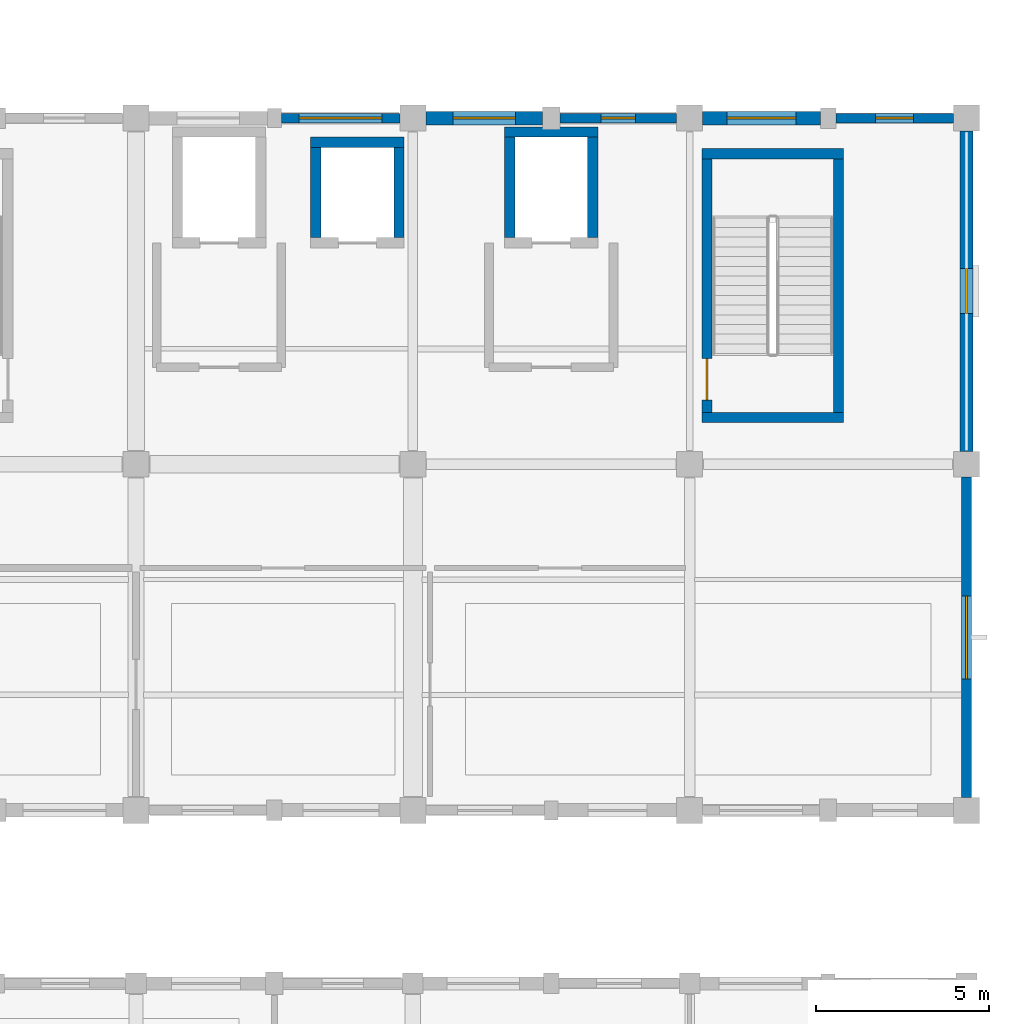
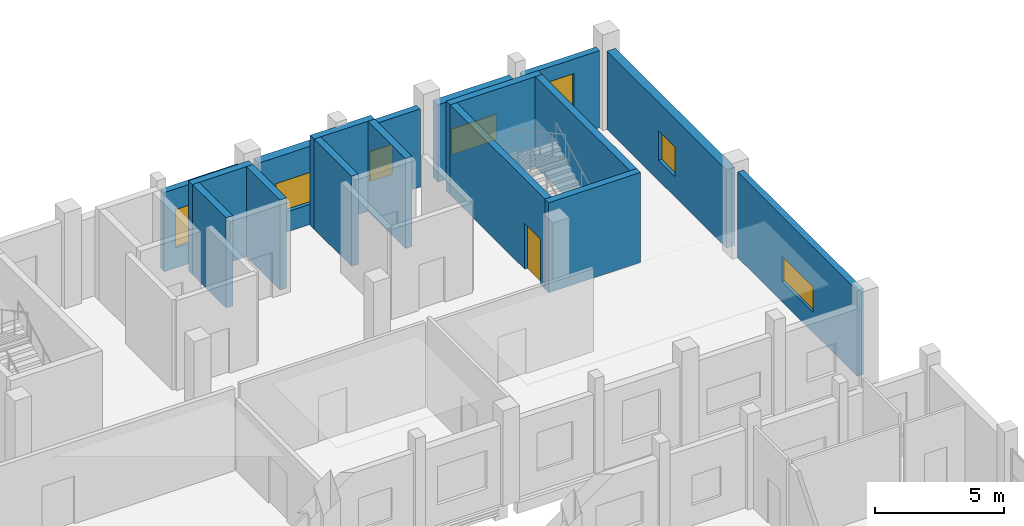
# One storey, part 153 of 183: 17 walls, 7 windows, 1 door, 8 openings.
"""IFC4 building model written with IfcOpenShell, lengths in metres."""

import ifcopenshell
import ifcopenshell.guid

model = None  # the IFC model being written
_history = None  # IfcOwnerHistory: only IFC2X3 demands one
_inside = {}  # id of a spatial element -> (the spatial element, [elements in it])
_under = {}  # id of a project, library or spatial element -> (it, [spatial elements below it])
_declared = {}  # id of a project -> (the project, [libraries it declares])
_typed = {}  # id of a type object -> (the type object, [elements of that type])
_made_of = {}  # id of a material, layer set ... -> (it, [elements and type objects made of it])


def new_model(schema):
    """Start an empty IFC model of exactly this schema.

    Asked for "IFC4X3", IfcOpenShell would pick the latest addendum, in which some entities
    have other attributes; the version numbers below select the first issue.
    IFC2X3 requires an IfcOwnerHistory on every rooted entity: one is made here for all.
    """
    global model, _history
    if schema == "IFC4X3":
        model = ifcopenshell.file(schema_version=(4, 3, 0, 0))
    else:
        model = ifcopenshell.file(schema=schema)
    _inside.clear()
    _under.clear()
    _declared.clear()
    _typed.clear()
    _made_of.clear()
    _history = None
    if model.schema == "IFC2X3":
        org = make("IfcOrganization", Name="unknown")
        user = make(
            "IfcPersonAndOrganization",
            ThePerson=make("IfcPerson", FamilyName="unknown"),
            TheOrganization=org,
        )
        app = make(
            "IfcApplication",
            ApplicationDeveloper=org,
            Version="unknown",
            ApplicationFullName="unknown",
            ApplicationIdentifier="unknown",
        )
        _history = make(
            "IfcOwnerHistory",
            OwningUser=user,
            OwningApplication=app,
            ChangeAction="ADDED",
            CreationDate=0,
        )
    return model


def make(cls, **values):
    """One entity of the class cls with the attributes given. An attribute that is None is left unset."""
    return model.create_entity(
        cls, **{name: value for name, value in values.items() if value is not None}
    )


def rooted(cls, **values):
    """An entity with a GlobalId (a new one), such as an element, a storey or a relation."""
    return make(cls, GlobalId=ifcopenshell.guid.new(), OwnerHistory=_history, **values)


def si_unit(unit_type, name, prefix=None):
    """IfcSIUnit, for example si_unit("LENGTHUNIT", "METRE", prefix="MILLI")."""
    return make("IfcSIUnit", UnitType=unit_type, Prefix=prefix, Name=name)


def assignment(units):
    """IfcUnitAssignment: the units of a project."""
    return None if units is None else make("IfcUnitAssignment", Units=units)


def point(xyz):
    """IfcCartesianPoint."""
    return None if xyz is None else make("IfcCartesianPoint", Coordinates=xyz)


def direction(xyz):
    """IfcDirection."""
    return None if xyz is None else make("IfcDirection", DirectionRatios=xyz)


def frame(location, z_axis=None, x_axis=None):
    """IfcAxis2Placement3D, a coordinate frame: its origin and axes. An axis left out is left unset."""
    return make(
        "IfcAxis2Placement3D",
        Location=point(location),
        Axis=direction(z_axis),
        RefDirection=direction(x_axis),
    )


def frame_2d(location, x_axis=None):
    """IfcAxis2Placement2D, a coordinate frame in the plane: its origin and x axis."""
    return make(
        "IfcAxis2Placement2D", Location=point(location), RefDirection=direction(x_axis)
    )


def origin():
    """The frame at (0, 0, 0) with its axes left unset."""
    return frame((0.0, 0.0, 0.0))


def place(relative_to, where):
    """IfcLocalPlacement: puts the frame where relative to a parent placement (None: the world)."""
    return make(
        "IfcLocalPlacement", PlacementRelTo=relative_to, RelativePlacement=where
    )


def context(
    kind, dimensions, precision=None, world=None, true_north=None, identifier=None
):
    """IfcGeometricRepresentationContext, for example the 3D "Model" context."""
    return make(
        "IfcGeometricRepresentationContext",
        ContextIdentifier=identifier,
        ContextType=kind,
        CoordinateSpaceDimension=dimensions,
        Precision=precision,
        WorldCoordinateSystem=world,
        TrueNorth=true_north,
    )


def subcontext(parent, identifier, kind, view, scale=None):
    """IfcGeometricRepresentationSubContext, for example "Body" below "Model"."""
    return make(
        "IfcGeometricRepresentationSubContext",
        ContextIdentifier=identifier,
        ContextType=kind,
        ParentContext=parent,
        TargetScale=scale,
        TargetView=view,
    )


def project(units=None, contexts=None):
    """IfcProject with its units and contexts."""
    return rooted(
        "IfcProject",
        Name="project",
        RepresentationContexts=contexts,
        UnitsInContext=assignment(units),
    )


def spatial(cls, under=None, at=None, **own):
    """A site, building, storey or space (cls), placed at a placement, below another one or the project."""
    s = rooted(cls, ObjectPlacement=at, **own)
    if under is not None:
        _under.setdefault(under.id(), (under, []))[1].append(s)
    return s


def profile(cls, at=None, kind="AREA", **sizes):
    """A parametric profile (cls). Its sizes go by their IFC names, for example OverallWidth=200.0."""
    return make(cls, ProfileType=kind, Position=at, **sizes)


def rectangle(**sizes):
    """IfcRectangleProfileDef."""
    return profile("IfcRectangleProfileDef", **sizes)


def extrude(swept, where, along, depth):
    """IfcExtrudedAreaSolid: the profile swept, set in the frame where, extruded along a direction by depth."""
    return make(
        "IfcExtrudedAreaSolid",
        SweptArea=swept,
        Position=where,
        ExtrudedDirection=direction(along),
        Depth=depth,
    )


def shape(context_of_items, identifier, shape_type, items):
    """IfcShapeRepresentation: the items that make up one representation, for example the "Body"."""
    return make(
        "IfcShapeRepresentation",
        ContextOfItems=context_of_items,
        RepresentationIdentifier=identifier,
        RepresentationType=shape_type,
        Items=items,
    )


def material(Name=None, Category=None):
    """IfcMaterial."""
    return make("IfcMaterial", Name=Name, Category=Category)


def layer(
    of_material, thickness, ventilated=None, Name=None, Category=None, Priority=None
):
    """IfcMaterialLayer: one layer of a wall or slab, of a material (None: an air gap)."""
    return make(
        "IfcMaterialLayer",
        Material=of_material,
        LayerThickness=thickness,
        IsVentilated=ventilated,
        Name=Name,
        Category=Category,
        Priority=Priority,
    )


def layer_set(layers, Name=None):
    """IfcMaterialLayerSet."""
    return make("IfcMaterialLayerSet", MaterialLayers=layers, LayerSetName=Name)


def made_of(thing, what):
    """Note that an element or type object is made of a material, layer set ...; save() writes the relation."""
    if what is not None:
        _made_of.setdefault(what.id(), (what, []))[1].append(thing)
    return thing


def type_object(cls, material=None, **own):
    """A type object (cls), such as IfcWallType, which elements share."""
    return made_of(rooted(cls, **own), material)


def element(
    cls,
    number,
    at=None,
    inside=None,
    cuts=None,
    type_object=None,
    material=None,
    context=None,
    identifier="Body",
    shape_type=None,
    held_by="IfcProductDefinitionShape",
    body=None,
    shapes=None,
    **own,
):
    """One element of the class cls, such as IfcWall. Its Tag is "e" and its number.

    at: its placement. inside: the storey or other place that contains it. cuts: it is an
    opening in that element (IfcRelVoidsElement). A single representation is given by context,
    identifier, shape_type and body (its items); several are given by shapes. held_by: the class
    of the entity that holds the representations. save() writes the other relations.
    """
    e = rooted(cls, Tag="e%d" % number, ObjectPlacement=at, **own)
    if body is not None:
        shapes = [shape(context, identifier, shape_type, body)]
    if shapes is not None:
        e.Representation = make(held_by, Representations=shapes)
    if inside is not None:
        _inside.setdefault(inside.id(), (inside, []))[1].append(e)
    if cuts is not None:
        rooted(
            "IfcRelVoidsElement", RelatingBuildingElement=cuts, RelatedOpeningElement=e
        )
    if type_object is not None:
        _typed.setdefault(type_object.id(), (type_object, []))[1].append(e)
    return made_of(e, material)


def fill(opening, filler):
    """IfcRelFillsElement: the door or window that sits in an opening."""
    return rooted(
        "IfcRelFillsElement",
        RelatingOpeningElement=opening,
        RelatedBuildingElement=filler,
    )


def aggregate(whole, parts):
    """IfcRelAggregates: a whole, such as a stair, and the parts it consists of."""
    return rooted("IfcRelAggregates", RelatingObject=whole, RelatedObjects=parts)


def save(model, path):
    """Write the relations noted so far, then the file.

    IfcRelAggregates (storeys below a building ...), IfcRelContainedInSpatialStructure (elements
    in a storey), IfcRelDefinesByType, IfcRelAssociatesMaterial and IfcRelDeclares: one each for
    every whole, place, type object, material and project.
    """
    for whole, parts in _under.values():
        aggregate(whole, parts)
    for where, things in _inside.values():
        rooted(
            "IfcRelContainedInSpatialStructure",
            RelatedElements=things,
            RelatingStructure=where,
        )
    for kind, things in _typed.values():
        rooted("IfcRelDefinesByType", RelatedObjects=things, RelatingType=kind)
    for what, things in _made_of.values():
        rooted("IfcRelAssociatesMaterial", RelatedObjects=things, RelatingMaterial=what)
    for by, libraries in _declared.values():
        rooted("IfcRelDeclares", RelatingContext=by, RelatedDefinitions=libraries)
    model.write(path)


model = new_model("IFC4")

# Units and contexts
model_context = context("Model", 3, precision=1e-05, world=origin(), true_north=direction((0.0, 1.0)))
body_context = subcontext(model_context, "Body", "Model", "MODEL_VIEW")
ifc_project = project(units=[si_unit("LENGTHUNIT", "METRE"), si_unit("AREAUNIT", "SQUARE_METRE"), si_unit("VOLUMEUNIT", "CUBIC_METRE"), si_unit("PLANEANGLEUNIT", "RADIAN"), si_unit("MASSUNIT", "GRAM", prefix="KILO")], contexts=[model_context])

# Site, building, storey
site_placement = place(None, origin())
site = spatial("IfcSite", under=ifc_project, at=site_placement, CompositionType="ELEMENT")
building_placement = place(site_placement, origin())
building = spatial("IfcBuilding", under=site, at=building_placement, Name="Luwemba Playhouse", CompositionType="ELEMENT")
storey_placement = place(building_placement, frame((0.0, 0.0, 4.800048828125)))
storey = spatial("IfcBuildingStorey", under=building, at=storey_placement, Name="L01", CompositionType="ELEMENT", Elevation=4.800048828125)

# Wall, opening, window
ifc_material_1 = material(Name="Clay facing brick obra vista masonry", Category="masonry")
ifc_layer_1 = layer(ifc_material_1, 0.3798828125)
ifc_layer_set_1 = layer_set([ifc_layer_1], Name="Clay facing brick obra vista masonry")
wall_type_1 = type_object("IfcWallType", Name="WAL-BRK-380", PredefinedType="SOLIDWALL", material=ifc_layer_set_1)
wall_1_placement = place(storey_placement, frame((156.375, 115.0, 0.0), z_axis=(0.0, 0.0, 1.0), x_axis=(1.0, 0.0, 0.0)))
wall_1 = element("IfcWall", 1, at=wall_1_placement, inside=storey, type_object=wall_type_1, Name="L01 V6E exterior facade wall 0248", PredefinedType="SOLIDWALL", context=body_context, shape_type="SweptSolid", body=[
    extrude(rectangle(XDim=3.375, YDim=0.3798828125, at=frame_2d((1.6875, 0.0))), origin(), (0.0, 0.0, 1.0), 3.68505859375),
])
opening_1_placement = place(wall_1_placement, frame((0.78759765625, 0.0, 0.949951171875)))
opening_1 = element("IfcOpeningElement", 2, at=opening_1_placement, cuts=wall_1, Name="Opening WN-10", PredefinedType="OPENING", context=body_context, shape_type="SweptSolid", body=[
    extrude(rectangle(XDim=1.800048828125, YDim=1.5, at=frame_2d((0.89990234375, 0.75))), frame((0.0, 0.199951171875, 0.0), z_axis=(0.0, -1.0, 0.0), x_axis=(1.0, 0.0, 0.0)), (0.0, 0.0, 1.0), 0.39990234375),
])
ifc_material_2 = material(Name="Solar-control double glazing in aluminium frame", Category="aluminium")
window_type_1 = type_object("IfcWindowType", Name="WIN-WN-10", PartitioningType="DOUBLE_PANEL_VERTICAL", PredefinedType="WINDOW", material=ifc_material_2)
window_1_placement = place(opening_1_placement, origin())
window_1 = element("IfcWindow", 3, at=window_1_placement, inside=storey, type_object=window_type_1, Name="L01 V6E scheduled window 0195", OverallHeight=1.5, OverallWidth=1.800048828125, PartitioningType="DOUBLE_PANEL_VERTICAL", PredefinedType="WINDOW", context=body_context, shape_type="SweptSolid", body=[
    extrude(rectangle(XDim=1.800048828125, YDim=1.5, at=frame_2d((0.89990234375, 0.75))), frame((0.0, 0.030029296875, 0.0), z_axis=(0.0, -1.0, 0.0), x_axis=(1.0, 0.0, 0.0)), (0.0, 0.0, 1.0), 0.06005859375),
])
fill(opening_1, window_1)

wall_2_placement = place(storey_placement, frame((164.375, 115.0, 0.0), z_axis=(0.0, 0.0, 1.0), x_axis=(1.0, 0.0, 0.0)))
wall_2 = element("IfcWall", 4, at=wall_2_placement, inside=storey, type_object=wall_type_1, Name="L01 V6E exterior facade wall 0250", PredefinedType="SOLIDWALL", context=body_context, shape_type="SweptSolid", body=[
    extrude(rectangle(XDim=3.39990234375, YDim=0.3798828125, at=frame_2d((1.699951171875, 0.0))), origin(), (0.0, 0.0, 1.0), 3.635009765625),
])
opening_2_placement = place(wall_2_placement, frame((0.699951171875, 0.0, 0.949951171875)))
opening_2 = element("IfcOpeningElement", 5, at=opening_2_placement, cuts=wall_2, Name="Opening WN-16", PredefinedType="OPENING", context=body_context, shape_type="SweptSolid", body=[
    extrude(rectangle(XDim=2.0, YDim=1.199951171875, at=frame_2d((1.0, 0.60009765625))), frame((0.0, 0.199951171875, 0.0), z_axis=(0.0, -1.0, 0.0), x_axis=(1.0, 0.0, 0.0)), (0.0, 0.0, 1.0), 0.39990234375),
])
window_type_2 = type_object("IfcWindowType", Name="WIN-WN-16", PartitioningType="DOUBLE_PANEL_HORIZONTAL", PredefinedType="WINDOW", material=ifc_material_2)
window_2_placement = place(opening_2_placement, origin())
window_2 = element("IfcWindow", 6, at=window_2_placement, inside=storey, type_object=window_type_2, Name="L01 V6E scheduled window 0197", OverallHeight=1.199951171875, OverallWidth=2.0, PartitioningType="DOUBLE_PANEL_HORIZONTAL", PredefinedType="WINDOW", context=body_context, shape_type="SweptSolid", body=[
    extrude(rectangle(XDim=2.0, YDim=1.199951171875, at=frame_2d((1.0, 0.60009765625))), frame((0.0, 0.030029296875, 0.0), z_axis=(0.0, -1.0, 0.0), x_axis=(1.0, 0.0, 0.0)), (0.0, 0.0, 1.0), 0.06005859375),
])
fill(opening_2, window_2)

wall_3_placement = place(storey_placement, frame((172.0, 114.625, 0.0), z_axis=(0.0, 0.0, 1.0), x_axis=(0.0, -1.0, 0.0)))
wall_3 = element("IfcWall", 7, at=wall_3_placement, inside=storey, type_object=wall_type_1, Name="L01 V6E exterior facade wall 0252", PredefinedType="SOLIDWALL", context=body_context, shape_type="SweptSolid", body=[
    extrude(rectangle(XDim=9.25, YDim=0.3798828125, at=frame_2d((4.625, 0.0))), origin(), (0.0, 0.0, 1.0), 3.68505859375),
])
opening_3_placement = place(wall_3_placement, frame((3.97509765625, 0.0, 0.949951171875)))
opening_3 = element("IfcOpeningElement", 8, at=opening_3_placement, cuts=wall_3, Name="Opening WN-14", PredefinedType="OPENING", context=body_context, shape_type="SweptSolid", body=[
    extrude(rectangle(XDim=1.300048828125, YDim=1.39990234375, at=frame_2d((0.64990234375, 0.699951171875))), frame((0.0, 0.199951171875, 0.0), z_axis=(0.0, -1.0, 0.0), x_axis=(1.0, 0.0, 0.0)), (0.0, 0.0, 1.0), 0.39990234375),
])
window_type_3 = type_object("IfcWindowType", Name="WIN-WN-14", PartitioningType="SINGLE_PANEL", PredefinedType="WINDOW", material=ifc_material_2)
window_3_placement = place(opening_3_placement, origin())
window_3 = element("IfcWindow", 9, at=window_3_placement, inside=storey, type_object=window_type_3, Name="L01 V6E scheduled window 0199", OverallHeight=1.39990234375, OverallWidth=1.300048828125, PartitioningType="SINGLE_PANEL", PredefinedType="WINDOW", context=body_context, shape_type="SweptSolid", body=[
    extrude(rectangle(XDim=1.300048828125, YDim=1.39990234375, at=frame_2d((0.64990234375, 0.699951171875))), frame((0.0, 0.030029296875, 0.0), z_axis=(0.0, -1.0, 0.0), x_axis=(1.0, 0.0, 0.0)), (0.0, 0.0, 1.0), 0.06005859375),
])
fill(opening_3, window_3)

# Walls
ifc_material_3 = material(Name="Concrete C40/50", Category="concrete")
ifc_layer_2 = layer(ifc_material_3, 0.300048828125)
ifc_layer_set_2 = layer_set([ifc_layer_2], Name="Concrete C40/50")
wall_type_2 = type_object("IfcWallType", Name="WAL-CORE-300", PredefinedType="SHEAR", material=ifc_layer_set_2)
for number, where, z_axis, x_axis, name in (
    (10, (164.35009765625, 106.35009765625, 0.0), (0.0, 0.0, 1.0), (1.0, 0.0, 0.0), "L01 ST-10 stair core wall S"),
    (11, (168.449951171875, 113.969970703125, 0.0), (0.0, 0.0, 1.0), (-1.0, 0.0, 0.0), "L01 ST-10 stair core wall N"),
):
    element("IfcWall", number, at=place(storey_placement, frame(where, z_axis=z_axis, x_axis=x_axis)), inside=storey, type_object=wall_type_2, Name=name, PredefinedType="SHEAR", context=body_context, shape_type="SweptSolid", body=[
        extrude(rectangle(XDim=4.099853515625, YDim=0.300048828125, at=frame_2d((2.0498046875, 0.0))), origin(), (0.0, 0.0, 1.0), 4.25),
    ])

# Wall, opening, door
wall_4_placement = place(storey_placement, frame((164.5, 113.820068359375, 0.0), z_axis=(0.0, 0.0, 1.0), x_axis=(0.0, -1.0, 0.0)))
wall_4 = element("IfcWall", 12, at=wall_4_placement, inside=storey, type_object=wall_type_2, Name="L01 ST-10 stair core wall W", PredefinedType="SHEAR", context=body_context, shape_type="SweptSolid", body=[
    extrude(rectangle(XDim=7.320068359375, YDim=0.300048828125, at=frame_2d((3.66015625, 0.0))), origin(), (0.0, 0.0, 1.0), 4.25),
])
opening_4_placement = place(wall_4_placement, frame((5.77001953125, 0.0, 0.0)))
opening_4 = element("IfcOpeningElement", 13, at=opening_4_placement, cuts=wall_4, Name="Opening D-STAIR3", PredefinedType="OPENING", context=body_context, shape_type="SweptSolid", body=[
    extrude(rectangle(XDim=1.199951171875, YDim=2.14990234375, at=frame_2d((0.60009765625, 1.074951171875))), frame((0.0, 0.159912109375, 0.0), z_axis=(0.0, -1.0, 0.0), x_axis=(1.0, 0.0, 0.0)), (0.0, 0.0, 1.0), 0.320068359375),
])
ifc_material_4 = material(Name="Hardwood acoustic fire door leaf", Category="wood")
door_type = type_object("IfcDoorType", Name="DR-STAIR-120", OperationType="NOTDEFINED", PredefinedType="DOOR", material=ifc_material_4)
door_placement = place(opening_4_placement, origin())
door = element("IfcDoor", 14, at=door_placement, inside=storey, type_object=door_type, Name="L01 ST-10 protected stair entry door", OperationType="SINGLE_SWING_LEFT", OverallHeight=2.14990234375, OverallWidth=1.199951171875, PredefinedType="DOOR", context=body_context, shape_type="SweptSolid", body=[
    extrude(rectangle(XDim=1.199951171875, YDim=2.14990234375, at=frame_2d((0.60009765625, 1.074951171875))), frame((0.0, 0.02490234375, 0.0), z_axis=(0.0, -1.0, 0.0), x_axis=(1.0, 0.0, 0.0)), (0.0, 0.0, 1.0), 0.050048828125),
])
fill(opening_4, door)

# Walls
wall_5_placement = place(storey_placement, frame((168.300048828125, 113.820068359375, 0.0), z_axis=(0.0, 0.0, 1.0), x_axis=(0.0, -1.0, 0.0)))
element("IfcWall", 15, at=wall_5_placement, inside=storey, type_object=wall_type_2, Name="L01 ST-10 stair core wall E", PredefinedType="SHEAR", context=body_context, shape_type="SweptSolid", body=[
    extrude(rectangle(XDim=7.320068359375, YDim=0.300048828125, at=frame_2d((3.66015625, 0.0))), origin(), (0.0, 0.0, 1.0), 4.25),
])
wall_6_placement = place(storey_placement, frame((161.35009765625, 114.60009765625, 0.0), z_axis=(0.0, 0.0, 1.0), x_axis=(-1.0, 0.0, 0.0)))
element("IfcWall", 16, at=wall_6_placement, inside=storey, type_object=wall_type_2, Name="L01 Lift LF-FF2 shaft wall N", PredefinedType="SHEAR", context=body_context, shape_type="SweptSolid", body=[
    extrude(rectangle(XDim=2.7001953125, YDim=0.300048828125, at=frame_2d((1.35009765625, 0.0))), origin(), (0.0, 0.0, 1.0), 4.25),
])
for number, where, z_axis, x_axis, name in (
    (17, (158.800048828125, 111.550048828125, 0.0), (0.0, 0.0, 1.0), (0.0, 1.0, 0.0), "L01 Lift LF-FF2 shaft wall W"),
    (18, (161.199951171875, 114.449951171875, 0.0), (0.0, 0.0, 1.0), (0.0, -1.0, 0.0), "L01 Lift LF-FF2 shaft wall E"),
):
    element("IfcWall", number, at=place(storey_placement, frame(where, z_axis=z_axis, x_axis=x_axis)), inside=storey, type_object=wall_type_2, Name=name, PredefinedType="SHEAR", context=body_context, shape_type="SweptSolid", body=[
        extrude(rectangle(XDim=2.89990234375, YDim=0.300048828125, at=frame_2d((1.449951171875, 0.0))), origin(), (0.0, 0.0, 1.0), 4.25),
    ])
wall_7_placement = place(storey_placement, frame((155.75, 114.300048828125, 0.0), z_axis=(0.0, 0.0, 1.0), x_axis=(-1.0, 0.0, 0.0)))
element("IfcWall", 19, at=wall_7_placement, inside=storey, type_object=wall_type_2, Name="L01 Lift LF-P6 shaft wall N", PredefinedType="SHEAR", context=body_context, shape_type="SweptSolid", body=[
    extrude(rectangle(XDim=2.699951171875, YDim=0.300048828125, at=frame_2d((1.35009765625, 0.0))), origin(), (0.0, 0.0, 1.0), 4.25),
])
for number, where, z_axis, x_axis, name in (
    (20, (153.199951171875, 111.550048828125, 0.0), (0.0, 0.0, 1.0), (0.0, 1.0, 0.0), "L01 Lift LF-P6 shaft wall W"),
    (21, (155.60009765625, 114.14990234375, 0.0), (0.0, 0.0, 1.0), (0.0, -1.0, 0.0), "L01 Lift LF-P6 shaft wall E"),
):
    element("IfcWall", number, at=place(storey_placement, frame(where, z_axis=z_axis, x_axis=x_axis)), inside=storey, type_object=wall_type_2, Name=name, PredefinedType="SHEAR", context=body_context, shape_type="SweptSolid", body=[
        extrude(rectangle(XDim=2.599853515625, YDim=0.300048828125, at=frame_2d((1.2998046875, 0.0))), origin(), (0.0, 0.0, 1.0), 4.25),
    ])

# Wall, opening, window
ifc_material_5 = material(Name="Structural timber GL24h infill", Category="wood")
ifc_layer_3 = layer(ifc_material_5, 0.280029296875)
ifc_layer_set_3 = layer_set([ifc_layer_3], Name="Structural timber GL24h infill")
wall_type_3 = type_object("IfcWallType", Name="WAL-TIM-280", PredefinedType="SOLIDWALL", material=ifc_layer_set_3)
wall_8_placement = place(storey_placement, frame((152.199951171875, 115.0, 0.0), z_axis=(0.0, 0.0, 1.0), x_axis=(1.0, 0.0, 0.0)))
wall_8 = element("IfcWall", 22, at=wall_8_placement, inside=storey, type_object=wall_type_3, Name="L01 V6E exterior facade wall 0247", PredefinedType="SOLIDWALL", context=body_context, shape_type="SweptSolid", body=[
    extrude(rectangle(XDim=3.425048828125, YDim=0.280029296875, at=frame_2d((1.71240234375, 0.0))), origin(), (0.0, 0.0, 1.0), 3.73486328125),
])
opening_5_placement = place(wall_8_placement, frame((0.512451171875, 0.0, 0.949951171875)))
opening_5 = element("IfcOpeningElement", 23, at=opening_5_placement, cuts=wall_8, Name="Opening WN-07", PredefinedType="OPENING", context=body_context, shape_type="SweptSolid", body=[
    extrude(rectangle(XDim=2.39990234375, YDim=1.800048828125, at=frame_2d((1.199951171875, 0.89990234375))), frame((0.0, 0.14990234375, 0.0), z_axis=(0.0, -1.0, 0.0), x_axis=(1.0, 0.0, 0.0)), (0.0, 0.0, 1.0), 0.300048828125),
])
window_type_4 = type_object("IfcWindowType", Name="WIN-WN-07", PartitioningType="TRIPLE_PANEL_VERTICAL", PredefinedType="WINDOW", material=ifc_material_2)
window_4_placement = place(opening_5_placement, origin())
window_4 = element("IfcWindow", 24, at=window_4_placement, inside=storey, type_object=window_type_4, Name="L01 V6E scheduled window 0194", OverallHeight=1.800048828125, OverallWidth=2.39990234375, PartitioningType="TRIPLE_PANEL_VERTICAL", PredefinedType="WINDOW", context=body_context, shape_type="SweptSolid", body=[
    extrude(rectangle(XDim=2.39990234375, YDim=1.800048828125, at=frame_2d((1.199951171875, 0.89990234375))), frame((0.0, 0.030029296875, 0.0), z_axis=(0.0, -1.0, 0.0), x_axis=(1.0, 0.0, 0.0)), (0.0, 0.0, 1.0), 0.06005859375),
])
fill(opening_5, window_4)

wall_9_placement = place(storey_placement, frame((160.25, 115.0, 0.0), z_axis=(0.0, 0.0, 1.0), x_axis=(1.0, 0.0, 0.0)))
wall_9 = element("IfcWall", 25, at=wall_9_placement, inside=storey, type_object=wall_type_3, Name="L01 V6E exterior facade wall 0249", PredefinedType="SOLIDWALL", context=body_context, shape_type="SweptSolid", body=[
    extrude(rectangle(XDim=3.375, YDim=0.280029296875, at=frame_2d((1.6875, 0.0))), origin(), (0.0, 0.0, 1.0), 3.68505859375),
])
opening_6_placement = place(wall_9_placement, frame((1.1875, 0.0, 0.949951171875)))
opening_6 = element("IfcOpeningElement", 26, at=opening_6_placement, cuts=wall_9, Name="Opening WN-13", PredefinedType="OPENING", context=body_context, shape_type="SweptSolid", body=[
    extrude(rectangle(XDim=1.0, YDim=1.39990234375, at=frame_2d((0.5, 0.699951171875))), frame((0.0, 0.14990234375, 0.0), z_axis=(0.0, -1.0, 0.0), x_axis=(1.0, 0.0, 0.0)), (0.0, 0.0, 1.0), 0.300048828125),
])
window_type_5 = type_object("IfcWindowType", Name="WIN-WN-13", PartitioningType="SINGLE_PANEL", PredefinedType="WINDOW", material=ifc_material_2)
window_5_placement = place(opening_6_placement, origin())
window_5 = element("IfcWindow", 27, at=window_5_placement, inside=storey, type_object=window_type_5, Name="L01 V6E scheduled window 0196", OverallHeight=1.39990234375, OverallWidth=1.0, PartitioningType="SINGLE_PANEL", PredefinedType="WINDOW", context=body_context, shape_type="SweptSolid", body=[
    extrude(rectangle(XDim=1.0, YDim=1.39990234375, at=frame_2d((0.5, 0.699951171875))), frame((0.0, 0.030029296875, 0.0), z_axis=(0.0, -1.0, 0.0), x_axis=(1.0, 0.0, 0.0)), (0.0, 0.0, 1.0), 0.06005859375),
])
fill(opening_6, window_5)

wall_10_placement = place(storey_placement, frame((168.22509765625, 115.0, 0.0), z_axis=(0.0, 0.0, 1.0), x_axis=(1.0, 0.0, 0.0)))
wall_10 = element("IfcWall", 28, at=wall_10_placement, inside=storey, type_object=wall_type_3, Name="L01 V6E exterior facade wall 0251", PredefinedType="SOLIDWALL", context=body_context, shape_type="SweptSolid", body=[
    extrude(rectangle(XDim=3.39990234375, YDim=0.280029296875, at=frame_2d((1.699951171875, 0.0))), origin(), (0.0, 0.0, 1.0), 3.635009765625),
])
opening_7_placement = place(wall_10_placement, frame((1.14990234375, 0.0, 0.949951171875)))
opening_7 = element("IfcOpeningElement", 29, at=opening_7_placement, cuts=wall_10, Name="Opening WN-19", PredefinedType="OPENING", context=body_context, shape_type="SweptSolid", body=[
    extrude(rectangle(XDim=1.10009765625, YDim=2.0, at=frame_2d((0.550048828125, 1.0))), frame((0.0, 0.14990234375, 0.0), z_axis=(0.0, -1.0, 0.0), x_axis=(1.0, 0.0, 0.0)), (0.0, 0.0, 1.0), 0.300048828125),
])
window_type_6 = type_object("IfcWindowType", Name="WIN-WN-19", PartitioningType="SINGLE_PANEL", PredefinedType="WINDOW", material=ifc_material_2)
window_6_placement = place(opening_7_placement, origin())
window_6 = element("IfcWindow", 30, at=window_6_placement, inside=storey, type_object=window_type_6, Name="L01 V6E scheduled window 0198", OverallHeight=2.0, OverallWidth=1.10009765625, PartitioningType="SINGLE_PANEL", PredefinedType="WINDOW", context=body_context, shape_type="SweptSolid", body=[
    extrude(rectangle(XDim=1.10009765625, YDim=2.0, at=frame_2d((0.550048828125, 1.0))), frame((0.0, 0.030029296875, 0.0), z_axis=(0.0, -1.0, 0.0), x_axis=(1.0, 0.0, 0.0)), (0.0, 0.0, 1.0), 0.06005859375),
])
fill(opening_7, window_6)

wall_11_placement = place(storey_placement, frame((172.0, 104.625, 0.0), z_axis=(0.0, 0.0, 1.0), x_axis=(0.0, -1.0, 0.0)))
wall_11 = element("IfcWall", 31, at=wall_11_placement, inside=storey, type_object=wall_type_3, Name="L01 V6E exterior facade wall 0253", PredefinedType="SOLIDWALL", context=body_context, shape_type="SweptSolid", body=[
    extrude(rectangle(XDim=9.25, YDim=0.280029296875, at=frame_2d((4.625, 0.0))), origin(), (0.0, 0.0, 1.0), 4.034912109375),
])
opening_8_placement = place(wall_11_placement, frame((3.425048828125, 0.0, 0.949951171875)))
opening_8 = element("IfcOpeningElement", 32, at=opening_8_placement, cuts=wall_11, Name="Opening WN-17", PredefinedType="OPENING", context=body_context, shape_type="SweptSolid", body=[
    extrude(rectangle(XDim=2.39990234375, YDim=1.199951171875, at=frame_2d((1.199951171875, 0.60009765625))), frame((0.0, 0.14990234375, 0.0), z_axis=(0.0, -1.0, 0.0), x_axis=(1.0, 0.0, 0.0)), (0.0, 0.0, 1.0), 0.300048828125),
])
window_type_7 = type_object("IfcWindowType", Name="WIN-WN-17", PartitioningType="TRIPLE_PANEL_HORIZONTAL", PredefinedType="WINDOW", material=ifc_material_2)
window_7_placement = place(opening_8_placement, origin())
window_7 = element("IfcWindow", 33, at=window_7_placement, inside=storey, type_object=window_type_7, Name="L01 V6E scheduled window 0200", OverallHeight=1.199951171875, OverallWidth=2.39990234375, PartitioningType="TRIPLE_PANEL_HORIZONTAL", PredefinedType="WINDOW", context=body_context, shape_type="SweptSolid", body=[
    extrude(rectangle(XDim=2.39990234375, YDim=1.199951171875, at=frame_2d((1.199951171875, 0.60009765625))), frame((0.0, 0.030029296875, 0.0), z_axis=(0.0, -1.0, 0.0), x_axis=(1.0, 0.0, 0.0)), (0.0, 0.0, 1.0), 0.06005859375),
])
fill(opening_8, window_7)

save(model, "model.ifc")
